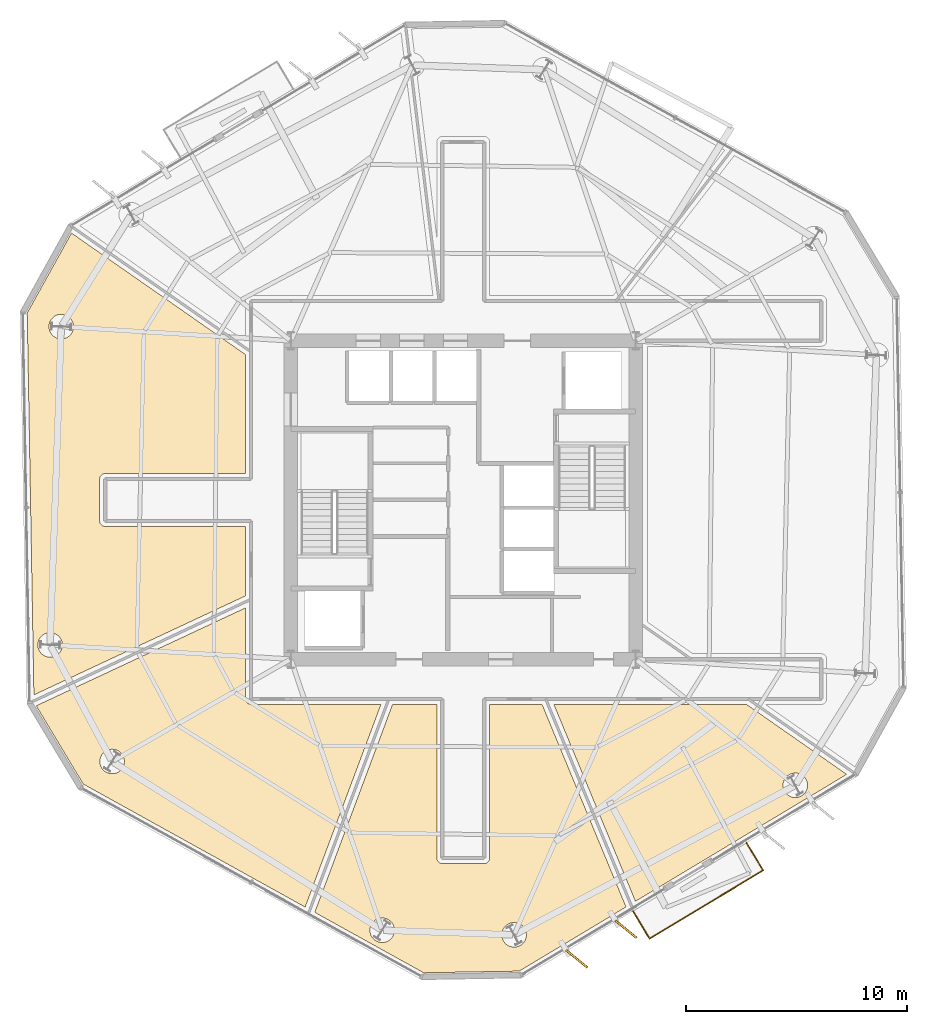
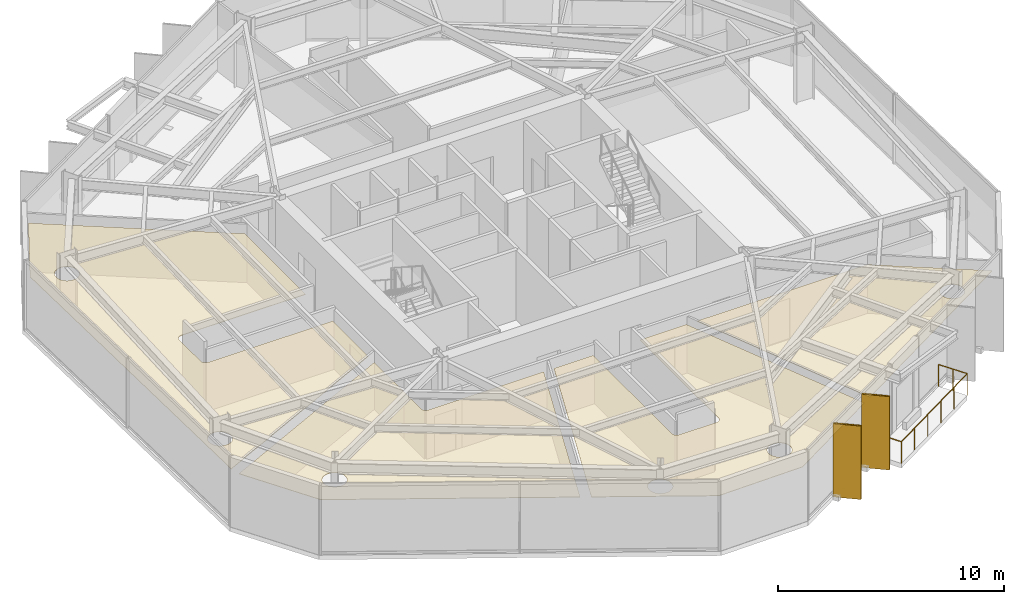
# One storey, part 9 of 11: 6 coverings, 2 shading devices, 1 railing.
"""IFC4 building model written with IfcOpenShell, lengths in metres."""

from ifc_helpers import new_model, si_unit, direction, frame, origin, origin_2d, place, context, subcontext, project, spatial, polyline, rectangle, circle, outline, extrude, material, layer, layer_set, type_object, element, save


model = new_model("IFC4")

# Units and contexts
model_context = context("Model", 3, precision=1e-05, world=origin(), true_north=direction((0.0, 1.0)))
body_context = subcontext(model_context, "Body", "Model", "MODEL_VIEW")
ifc_project = project(units=[si_unit("LENGTHUNIT", "METRE"), si_unit("AREAUNIT", "SQUARE_METRE"), si_unit("VOLUMEUNIT", "CUBIC_METRE"), si_unit("PLANEANGLEUNIT", "RADIAN"), si_unit("MASSUNIT", "GRAM", prefix="KILO")], contexts=[model_context])

# Site, building, storey
site_placement = place(None, origin())
site = spatial("IfcSite", under=ifc_project, at=site_placement, CompositionType="ELEMENT")
building_placement = place(site_placement, origin())
building = spatial("IfcBuilding", under=site, at=building_placement, Name="Kranzbogen Civic Tower", CompositionType="ELEMENT")
storey_placement = place(building_placement, frame((0.0, 0.0, 146.39990234375)))
storey = spatial("IfcBuildingStorey", under=building, at=storey_placement, Name="L35", CompositionType="ELEMENT", Elevation=146.39990234375)

# Coverings
ifc_material_1 = material(Name="Pale Anodised Aluminium", Category="aluminium")
ifc_layer_1 = layer(ifc_material_1, 0.02490234375, Name="Pale Anodised Aluminium")
ifc_layer_set_1 = layer_set([ifc_layer_1], Name="Pale Anodised Aluminium")
covering_type_1 = type_object("IfcCoveringType", Name="Anodised Aluminium Vertical Fin Cladding 25 mm", PredefinedType="CLADDING", material=ifc_layer_set_1)
for number, where, z_axis, x_axis, name in (
    (1, (30.135986328125, 4.241943359375, -0.139892578125), (0.0, 0.0, 1.0), (0.774127549164, -0.633029649878, 0.0), "L35 vertical fin pale-metal cladding F5-1"),
    (2, (32.364013671875, 5.5810546875, -0.139892578125), (0.0, 0.0, 1.0), (0.774127549164, -0.633029649878, 0.0), "L35 vertical fin pale-metal cladding F5-2"),
):
    element("IfcCovering", number, at=place(storey_placement, frame(where, z_axis=z_axis, x_axis=x_axis)), inside=storey, type_object=covering_type_1, Name=name, PredefinedType="CLADDING", context=body_context, shape_type="SweptSolid", body=[
        extrude(rectangle(XDim=1.25, YDim=0.10009765625, at=origin_2d()), origin(), (0.0, 0.0, 1.0), 3.9599609375),
    ])

# Shading devices
ifc_material_2 = material(Name="Anodised Bronze Aluminium", Category="aluminium")
shading_device_type = type_object("IfcShadingDeviceType", Name="Anodised Bronze Vertical Facade Fin 1250x80", PredefinedType="USERDEFINED", material=ifc_material_2)
for number, where, z_axis, x_axis, name in (
    (3, (30.135986328125, 4.241943359375, -0.139892578125), (0.0, 0.0, 1.0), (0.774127549164, -0.633029649878, 0.0), "L35 vertical exterior shading fin F5-1"),
    (4, (32.364013671875, 5.5810546875, -0.139892578125), (0.0, 0.0, 1.0), (0.774127549164, -0.633029649878, 0.0), "L35 vertical exterior shading fin F5-2"),
):
    element("IfcShadingDevice", number, at=place(storey_placement, frame(where, z_axis=z_axis, x_axis=x_axis)), inside=storey, type_object=shading_device_type, Name=name, ObjectType="FIN", PredefinedType="USERDEFINED", context=body_context, shape_type="SweptSolid", body=[
        extrude(rectangle(XDim=1.25, YDim=0.080078125, at=origin_2d()), origin(), (0.0, 0.0, 1.0), 3.9599609375),
    ])

# Railing
railing_type = type_object("IfcRailingType", Name="Cantilevered Balcony Glass and Bronze Balustrade 1200", PredefinedType="BALUSTRADE", material=ifc_material_2)
railing_placement = place(storey_placement, frame((32.677978515625, 6.39697265625, 0.0)))
element("IfcRailing", 5, at=railing_placement, inside=storey, type_object=railing_type, Name="L35 exterior terrace balustrade L35-TB1", PredefinedType="BALUSTRADE", context=body_context, shape_type="SweptSolid", body=[
    extrude(circle(Radius=0.02392578125, at=origin_2d()), frame((0.0, 0.0, 1.17578125), z_axis=(0.515164064577, -0.85709158587, 0.0), x_axis=(0.85709158587, 0.515164064577, 0.0)), (0.0, 0.0, 1.0), 1.4501953125),
    extrude(circle(Radius=0.02392578125, at=origin_2d()), frame((0.7470703125, -1.242919921875, 1.17578125), z_axis=(0.857198373359, 0.514986357791, 0.0), x_axis=(-0.514986357791, 0.857198373359, 0.0)), (0.0, 0.0, 1.0), 5.999755859375),
    extrude(circle(Radius=0.02392578125, at=origin_2d()), frame((5.89013671875, 1.846923828125, 1.17578125), z_axis=(-0.515089737752, 0.857136256416, 0.0), x_axis=(-0.857136256416, -0.515089737752, 0.0)), (0.0, 0.0, 1.0), 1.450439453125),
    extrude(circle(Radius=0.02099609375, at=origin_2d()), origin(), (0.0, 0.0, 1.0), 1.15185546875),
    extrude(circle(Radius=0.02099609375, at=origin_2d()), frame((0.37353515625, -0.62158203125, 0.0)), (0.0, 0.0, 1.0), 1.15185546875),
    extrude(circle(Radius=0.02099609375, at=origin_2d()), frame((0.7470703125, -1.242919921875, 0.0)), (0.0, 0.0, 1.0), 1.15185546875),
    extrude(circle(Radius=0.02099609375, at=origin_2d()), frame((1.775634765625, -0.625, 0.0)), (0.0, 0.0, 1.0), 1.15185546875),
    extrude(circle(Radius=0.02099609375, at=origin_2d()), frame((2.80419921875, -0.007080078125, 0.0)), (0.0, 0.0, 1.0), 1.15185546875),
    extrude(circle(Radius=0.02099609375, at=origin_2d()), frame((3.8330078125, 0.611083984375, 0.0)), (0.0, 0.0, 1.0), 1.15185546875),
    extrude(circle(Radius=0.02099609375, at=origin_2d()), frame((4.861572265625, 1.22900390625, 0.0)), (0.0, 0.0, 1.0), 1.15185546875),
    extrude(circle(Radius=0.02099609375, at=origin_2d()), frame((5.89013671875, 1.846923828125, 0.0)), (0.0, 0.0, 1.0), 1.15185546875),
    extrude(circle(Radius=0.02099609375, at=origin_2d()), frame((5.5166015625, 2.468505859375, 0.0)), (0.0, 0.0, 1.0), 1.15185546875),
    extrude(circle(Radius=0.02099609375, at=origin_2d()), frame((5.14306640625, 3.090087890625, 0.0)), (0.0, 0.0, 1.0), 1.15185546875),
])

# Coverings
ifc_material_3 = material(Name="Perforated Acoustic Gypsum Ceiling")
ifc_layer_2 = layer(ifc_material_3, 0.02490234375, Name="Perforated Acoustic Gypsum Ceiling")
ifc_layer_set_2 = layer_set([ifc_layer_2], Name="Perforated Acoustic Gypsum Ceiling")
covering_type_2 = type_object("IfcCoveringType", Name="Perforated Acoustic Mineral Ceiling Tile 25 mm", PredefinedType="CEILING", material=ifc_layer_set_2)
covering_1_placement = place(storey_placement, frame((0.0, 0.0, 2.75)))
element("IfcCovering", 6, at=covering_1_placement, inside=storey, type_object=covering_type_2, Name="L35 Executive Briefing Conference Room acoustic ceiling", PredefinedType="CEILING", context=body_context, shape_type="SweptSolid", body=[
    extrude(outline(polyline([(5.680908203125, 15.68994140625), (15.155029296875, 20.123046875), (15.155029296875, 16.0), (15.155029296875, 15.990966796875), (15.156005859375, 15.985107421875), (15.156982421875, 15.967041015625), (15.157958984375, 15.9609375), (15.162109375, 15.944091796875), (15.1630859375, 15.93701171875), (15.16796875, 15.919921875), (15.169921875, 15.9140625), (15.177001953125, 15.89794921875), (15.179931640625, 15.89208984375), (15.18798828125, 15.876953125), (15.19189453125, 15.87109375), (15.200927734375, 15.85693359375), (15.205078125, 15.85205078125), (15.216064453125, 15.837890625), (15.220947265625, 15.8330078125), (15.23291015625, 15.821044921875), (15.238037109375, 15.81591796875), (15.251953125, 15.804931640625), (15.257080078125, 15.801025390625), (15.27099609375, 15.7919921875), (15.277099609375, 15.7880859375), (15.2919921875, 15.780029296875), (15.298095703125, 15.777099609375), (15.31396484375, 15.77001953125), (15.320068359375, 15.76806640625), (15.3369140625, 15.762939453125), (15.343994140625, 15.761962890625), (15.361083984375, 15.758056640625), (15.366943359375, 15.757080078125), (15.385009765625, 15.756103515625), (15.39111328125, 15.7548828125), (15.39990234375, 15.7548828125), (21.280029296875, 15.7548828125), (17.847900390625, 6.583984375), (7.81005859375, 12.14794921875), (5.680908203125, 15.68994140625)]), holes=[polyline([(9.6259765625, 12.958984375), (9.60302734375, 12.909912109375), (9.574951171875, 12.863037109375), (9.54296875, 12.819091796875), (9.506103515625, 12.779052734375), (9.466064453125, 12.741943359375), (9.422119140625, 12.7099609375), (9.375, 12.681884765625), (9.325927734375, 12.658935546875), (9.27490234375, 12.64111328125), (9.221923828125, 12.626953125), (9.16796875, 12.618896484375), (9.114013671875, 12.616943359375), (9.06005859375, 12.618896484375), (9.006103515625, 12.626953125), (8.952880859375, 12.64111328125), (8.902099609375, 12.658935546875), (8.85302734375, 12.681884765625), (8.805908203125, 12.7099609375), (8.761962890625, 12.741943359375), (8.721923828125, 12.779052734375), (8.68505859375, 12.819091796875), (8.653076171875, 12.863037109375), (8.625, 12.909912109375), (8.60205078125, 12.958984375), (8.583984375, 13.010009765625), (8.570068359375, 13.06298828125), (8.56201171875, 13.116943359375), (8.56005859375, 13.1708984375), (8.56201171875, 13.22509765625), (8.570068359375, 13.279052734375), (8.583984375, 13.33203125), (8.60205078125, 13.383056640625), (8.625, 13.431884765625), (8.653076171875, 13.47900390625), (8.68505859375, 13.52294921875), (8.721923828125, 13.56298828125), (8.761962890625, 13.60009765625), (8.805908203125, 13.632080078125), (8.85302734375, 13.659912109375), (8.902099609375, 13.68310546875), (8.952880859375, 13.700927734375), (9.006103515625, 13.715087890625), (9.06005859375, 13.722900390625), (9.114013671875, 13.72509765625), (9.16796875, 13.722900390625), (9.221923828125, 13.715087890625), (9.27490234375, 13.700927734375), (9.325927734375, 13.68310546875), (9.375, 13.659912109375), (9.422119140625, 13.632080078125), (9.466064453125, 13.60009765625), (9.506103515625, 13.56298828125), (9.54296875, 13.52294921875), (9.574951171875, 13.47900390625), (9.60302734375, 13.431884765625), (9.6259765625, 13.383056640625), (9.64404296875, 13.33203125), (9.657958984375, 13.279052734375), (9.666015625, 13.22509765625), (9.66796875, 13.1708984375), (9.666015625, 13.116943359375), (9.657958984375, 13.06298828125), (9.64404296875, 13.010009765625), (9.6259765625, 12.958984375)])]), origin(), (0.0, 0.0, 1.0), 0.025146484375),
])
covering_2_placement = place(storey_placement, frame((0.0, 0.0, 2.75)))
element("IfcCovering", 7, at=covering_2_placement, inside=storey, type_object=covering_type_2, Name="L35 Parliamentary Review Boardroom acoustic ceiling", PredefinedType="CEILING", context=body_context, shape_type="SweptSolid", body=[
    extrude(outline(polyline([(23.2099609375, 3.611083984375), (18.281982421875, 6.343017578125), (21.802978515625, 15.7548828125), (23.804931640625, 15.7548828125), (23.804931640625, 8.800048828125), (23.804931640625, 8.791015625), (23.805908203125, 8.784912109375), (23.806884765625, 8.76708984375), (23.80810546875, 8.760986328125), (23.81201171875, 8.743896484375), (23.81298828125, 8.737060546875), (23.818115234375, 8.719970703125), (23.820068359375, 8.714111328125), (23.826904296875, 8.697998046875), (23.830078125, 8.69189453125), (23.837890625, 8.677001953125), (23.842041015625, 8.6708984375), (23.85107421875, 8.656982421875), (23.85498046875, 8.652099609375), (23.865966796875, 8.637939453125), (23.87109375, 8.633056640625), (23.883056640625, 8.62109375), (23.887939453125, 8.615966796875), (23.902099609375, 8.60498046875), (23.906982421875, 8.60107421875), (23.9208984375, 8.592041015625), (23.927001953125, 8.587890625), (23.94189453125, 8.580078125), (23.947998046875, 8.576904296875), (23.964111328125, 8.570068359375), (23.969970703125, 8.568115234375), (23.987060546875, 8.56298828125), (23.993896484375, 8.56201171875), (24.010986328125, 8.55810546875), (24.01708984375, 8.556884765625), (24.034912109375, 8.555908203125), (24.041015625, 8.554931640625), (24.050048828125, 8.554931640625), (25.949951171875, 8.554931640625), (25.958984375, 8.554931640625), (25.965087890625, 8.555908203125), (25.98291015625, 8.556884765625), (25.989013671875, 8.55810546875), (26.006103515625, 8.56201171875), (26.012939453125, 8.56298828125), (26.030029296875, 8.568115234375), (26.035888671875, 8.570068359375), (26.052001953125, 8.576904296875), (26.05810546875, 8.580078125), (26.072998046875, 8.587890625), (26.0791015625, 8.592041015625), (26.093017578125, 8.60107421875), (26.097900390625, 8.60498046875), (26.112060546875, 8.615966796875), (26.116943359375, 8.62109375), (26.12890625, 8.633056640625), (26.134033203125, 8.637939453125), (26.14501953125, 8.652099609375), (26.14892578125, 8.656982421875), (26.157958984375, 8.6708984375), (26.162109375, 8.677001953125), (26.169921875, 8.69189453125), (26.173095703125, 8.697998046875), (26.179931640625, 8.714111328125), (26.181884765625, 8.719970703125), (26.18701171875, 8.737060546875), (26.18798828125, 8.743896484375), (26.19189453125, 8.760986328125), (26.193115234375, 8.76708984375), (26.194091796875, 8.784912109375), (26.195068359375, 8.791015625), (26.195068359375, 8.800048828125), (26.195068359375, 15.7548828125), (28.56591796875, 15.7548828125), (32.364990234375, 6.589111328125), (27.534912109375, 3.68603515625), (23.2099609375, 3.611083984375)]), holes=[polyline([(21.843994140625, 5.323974609375), (21.821044921875, 5.27490234375), (21.79296875, 5.22802734375), (21.760986328125, 5.18408203125), (21.72412109375, 5.14404296875), (21.68408203125, 5.10693359375), (21.639892578125, 5.074951171875), (21.593017578125, 5.047119140625), (21.5439453125, 5.02392578125), (21.492919921875, 5.006103515625), (21.43994140625, 4.991943359375), (21.385986328125, 4.98388671875), (21.33203125, 4.98193359375), (21.278076171875, 4.98388671875), (21.22412109375, 4.991943359375), (21.1708984375, 5.006103515625), (21.1201171875, 5.02392578125), (21.071044921875, 5.047119140625), (21.02392578125, 5.074951171875), (20.97998046875, 5.10693359375), (20.93994140625, 5.14404296875), (20.903076171875, 5.18408203125), (20.87109375, 5.22802734375), (20.843017578125, 5.27490234375), (20.820068359375, 5.323974609375), (20.802001953125, 5.375), (20.7880859375, 5.427978515625), (20.780029296875, 5.48193359375), (20.778076171875, 5.535888671875), (20.780029296875, 5.590087890625), (20.7880859375, 5.64404296875), (20.802001953125, 5.697021484375), (20.820068359375, 5.748046875), (20.843017578125, 5.797119140625), (20.87109375, 5.843994140625), (20.903076171875, 5.887939453125), (20.93994140625, 5.927978515625), (20.97998046875, 5.965087890625), (21.02392578125, 5.9970703125), (21.071044921875, 6.02490234375), (21.1201171875, 6.048095703125), (21.1708984375, 6.06591796875), (21.22412109375, 6.080078125), (21.278076171875, 6.087890625), (21.33203125, 6.090087890625), (21.385986328125, 6.087890625), (21.43994140625, 6.080078125), (21.492919921875, 6.06591796875), (21.5439453125, 6.048095703125), (21.593017578125, 6.02490234375), (21.639892578125, 5.9970703125), (21.68408203125, 5.965087890625), (21.72412109375, 5.927978515625), (21.760986328125, 5.887939453125), (21.79296875, 5.843994140625), (21.821044921875, 5.797119140625), (21.843994140625, 5.748046875), (21.862060546875, 5.697021484375), (21.8759765625, 5.64404296875), (21.884033203125, 5.590087890625), (21.885986328125, 5.535888671875), (21.884033203125, 5.48193359375), (21.8759765625, 5.427978515625), (21.862060546875, 5.375), (21.843994140625, 5.323974609375)]), polyline([(27.81298828125, 5.115966796875), (27.7900390625, 5.06689453125), (27.761962890625, 5.02001953125), (27.72998046875, 4.97607421875), (27.693115234375, 4.93603515625), (27.653076171875, 4.89892578125), (27.60888671875, 4.866943359375), (27.56201171875, 4.839111328125), (27.512939453125, 4.81591796875), (27.4619140625, 4.798095703125), (27.408935546875, 4.783935546875), (27.35498046875, 4.77587890625), (27.301025390625, 4.77392578125), (27.2470703125, 4.77587890625), (27.193115234375, 4.783935546875), (27.139892578125, 4.798095703125), (27.089111328125, 4.81591796875), (27.0400390625, 4.839111328125), (26.992919921875, 4.866943359375), (26.948974609375, 4.89892578125), (26.908935546875, 4.93603515625), (26.8720703125, 4.97607421875), (26.840087890625, 5.02001953125), (26.81201171875, 5.06689453125), (26.7890625, 5.115966796875), (26.77099609375, 5.1669921875), (26.757080078125, 5.219970703125), (26.7490234375, 5.27392578125), (26.7470703125, 5.327880859375), (26.7490234375, 5.382080078125), (26.757080078125, 5.43603515625), (26.77099609375, 5.489013671875), (26.7890625, 5.5400390625), (26.81201171875, 5.589111328125), (26.840087890625, 5.635986328125), (26.8720703125, 5.679931640625), (26.908935546875, 5.719970703125), (26.948974609375, 5.757080078125), (26.992919921875, 5.7890625), (27.0400390625, 5.81689453125), (27.089111328125, 5.840087890625), (27.139892578125, 5.85791015625), (27.193115234375, 5.8720703125), (27.2470703125, 5.8798828125), (27.301025390625, 5.882080078125), (27.35498046875, 5.8798828125), (27.408935546875, 5.8720703125), (27.4619140625, 5.85791015625), (27.512939453125, 5.840087890625), (27.56201171875, 5.81689453125), (27.60888671875, 5.7890625), (27.653076171875, 5.757080078125), (27.693115234375, 5.719970703125), (27.72998046875, 5.679931640625), (27.761962890625, 5.635986328125), (27.7900390625, 5.589111328125), (27.81298828125, 5.5400390625), (27.8310546875, 5.489013671875), (27.844970703125, 5.43603515625), (27.85302734375, 5.382080078125), (27.85498046875, 5.327880859375), (27.85302734375, 5.27392578125), (27.844970703125, 5.219970703125), (27.8310546875, 5.1669921875), (27.81298828125, 5.115966796875)])]), origin(), (0.0, 0.0, 1.0), 0.025146484375),
])
covering_3_placement = place(storey_placement, frame((0.0, 0.0, 2.75)))
element("IfcCovering", 8, at=covering_3_placement, inside=storey, type_object=covering_type_2, Name="L35 Policy Seminar Room acoustic ceiling", PredefinedType="CEILING", context=body_context, shape_type="SweptSolid", body=[
    extrude(outline(polyline([(29.096923828125, 15.7548828125), (37.81201171875, 15.7548828125), (42.347900390625, 12.587890625), (32.7900390625, 6.843994140625), (29.096923828125, 15.7548828125)]), holes=[polyline([(40.534912109375, 11.8798828125), (40.511962890625, 11.8310546875), (40.48388671875, 11.783935546875), (40.451904296875, 11.739990234375), (40.4150390625, 11.699951171875), (40.375, 11.6630859375), (40.3310546875, 11.631103515625), (40.283935546875, 11.60302734375), (40.235107421875, 11.580078125), (40.18408203125, 11.56201171875), (40.131103515625, 11.548095703125), (40.076904296875, 11.5400390625), (40.02294921875, 11.5380859375), (39.968994140625, 11.5400390625), (39.9150390625, 11.548095703125), (39.862060546875, 11.56201171875), (39.81103515625, 11.580078125), (39.761962890625, 11.60302734375), (39.715087890625, 11.631103515625), (39.6708984375, 11.6630859375), (39.631103515625, 11.699951171875), (39.593994140625, 11.739990234375), (39.56201171875, 11.783935546875), (39.533935546875, 11.8310546875), (39.510986328125, 11.8798828125), (39.492919921875, 11.930908203125), (39.47900390625, 11.98388671875), (39.470947265625, 12.0380859375), (39.468994140625, 12.092041015625), (39.470947265625, 12.14599609375), (39.47900390625, 12.199951171875), (39.492919921875, 12.2529296875), (39.510986328125, 12.303955078125), (39.533935546875, 12.35302734375), (39.56201171875, 12.39990234375), (39.593994140625, 12.444091796875), (39.631103515625, 12.48388671875), (39.6708984375, 12.52099609375), (39.715087890625, 12.552978515625), (39.761962890625, 12.5810546875), (39.81103515625, 12.60400390625), (39.862060546875, 12.6220703125), (39.9150390625, 12.635986328125), (39.968994140625, 12.64404296875), (40.02294921875, 12.64599609375), (40.076904296875, 12.64404296875), (40.131103515625, 12.635986328125), (40.18408203125, 12.6220703125), (40.235107421875, 12.60400390625), (40.283935546875, 12.5810546875), (40.3310546875, 12.552978515625), (40.375, 12.52099609375), (40.4150390625, 12.48388671875), (40.451904296875, 12.444091796875), (40.48388671875, 12.39990234375), (40.511962890625, 12.35302734375), (40.534912109375, 12.303955078125), (40.552978515625, 12.2529296875), (40.56689453125, 12.199951171875), (40.574951171875, 12.14599609375), (40.576904296875, 12.092041015625), (40.574951171875, 12.0380859375), (40.56689453125, 11.98388671875), (40.552978515625, 11.930908203125), (40.534912109375, 11.8798828125)])]), origin(), (0.0, 0.0, 1.0), 0.025146484375),
])
covering_4_placement = place(storey_placement, frame((0.0, 0.0, 2.75)))
element("IfcCovering", 9, at=covering_4_placement, inside=storey, type_object=covering_type_2, Name="L35 Ministerial Policy Office acoustic ceiling", PredefinedType="CEILING", context=body_context, shape_type="SweptSolid", body=[
    extrude(outline(polyline([(7.278076171875, 37.075927734375), (15.155029296875, 31.575927734375), (15.155029296875, 26.195068359375), (8.800048828125, 26.195068359375), (8.791015625, 26.195068359375), (8.784912109375, 26.194091796875), (8.76708984375, 26.193115234375), (8.760986328125, 26.19189453125), (8.743896484375, 26.18798828125), (8.737060546875, 26.18701171875), (8.719970703125, 26.181884765625), (8.714111328125, 26.179931640625), (8.697998046875, 26.173095703125), (8.69189453125, 26.169921875), (8.677001953125, 26.162109375), (8.6708984375, 26.157958984375), (8.656982421875, 26.14892578125), (8.652099609375, 26.14501953125), (8.637939453125, 26.134033203125), (8.633056640625, 26.12890625), (8.62109375, 26.116943359375), (8.615966796875, 26.112060546875), (8.60498046875, 26.097900390625), (8.60107421875, 26.093017578125), (8.592041015625, 26.0791015625), (8.587890625, 26.072998046875), (8.580078125, 26.05810546875), (8.576904296875, 26.052001953125), (8.570068359375, 26.035888671875), (8.568115234375, 26.030029296875), (8.56298828125, 26.012939453125), (8.56201171875, 26.006103515625), (8.55810546875, 25.989013671875), (8.556884765625, 25.98291015625), (8.555908203125, 25.965087890625), (8.554931640625, 25.958984375), (8.554931640625, 25.949951171875), (8.554931640625, 24.050048828125), (8.554931640625, 24.041015625), (8.555908203125, 24.034912109375), (8.556884765625, 24.01708984375), (8.55810546875, 24.010986328125), (8.56201171875, 23.993896484375), (8.56298828125, 23.987060546875), (8.568115234375, 23.969970703125), (8.570068359375, 23.964111328125), (8.576904296875, 23.947998046875), (8.580078125, 23.94189453125), (8.587890625, 23.927001953125), (8.592041015625, 23.9208984375), (8.60107421875, 23.906982421875), (8.60498046875, 23.902099609375), (8.615966796875, 23.887939453125), (8.62109375, 23.883056640625), (8.633056640625, 23.87109375), (8.637939453125, 23.865966796875), (8.652099609375, 23.85498046875), (8.656982421875, 23.85107421875), (8.6708984375, 23.842041015625), (8.677001953125, 23.837890625), (8.69189453125, 23.830078125), (8.697998046875, 23.826904296875), (8.714111328125, 23.820068359375), (8.719970703125, 23.818115234375), (8.737060546875, 23.81298828125), (8.743896484375, 23.81201171875), (8.760986328125, 23.80810546875), (8.76708984375, 23.806884765625), (8.784912109375, 23.805908203125), (8.791015625, 23.804931640625), (8.800048828125, 23.804931640625), (15.155029296875, 23.804931640625), (15.155029296875, 20.6640625), (5.575927734375, 16.181884765625), (5.27392578125, 33.4619140625), (7.278076171875, 37.075927734375)]), holes=[polyline([(6.822021484375, 18.23193359375), (6.799072265625, 18.18310546875), (6.77099609375, 18.135986328125), (6.739013671875, 18.092041015625), (6.701904296875, 18.052001953125), (6.662109375, 18.014892578125), (6.617919921875, 17.98291015625), (6.571044921875, 17.955078125), (6.52197265625, 17.931884765625), (6.470947265625, 17.9140625), (6.41796875, 17.89990234375), (6.364013671875, 17.89208984375), (6.31005859375, 17.889892578125), (6.256103515625, 17.89208984375), (6.201904296875, 17.89990234375), (6.14892578125, 17.9140625), (6.097900390625, 17.931884765625), (6.049072265625, 17.955078125), (6.001953125, 17.98291015625), (5.9580078125, 18.014892578125), (5.91796875, 18.052001953125), (5.881103515625, 18.092041015625), (5.84912109375, 18.135986328125), (5.821044921875, 18.18310546875), (5.798095703125, 18.23193359375), (5.780029296875, 18.282958984375), (5.76611328125, 18.3359375), (5.758056640625, 18.389892578125), (5.756103515625, 18.444091796875), (5.758056640625, 18.498046875), (5.76611328125, 18.552001953125), (5.780029296875, 18.60498046875), (5.798095703125, 18.656005859375), (5.821044921875, 18.705078125), (5.84912109375, 18.751953125), (5.881103515625, 18.7958984375), (5.91796875, 18.8359375), (5.9580078125, 18.873046875), (6.001953125, 18.905029296875), (6.049072265625, 18.93310546875), (6.097900390625, 18.9560546875), (6.14892578125, 18.97412109375), (6.201904296875, 18.988037109375), (6.256103515625, 18.99609375), (6.31005859375, 18.998046875), (6.364013671875, 18.99609375), (6.41796875, 18.988037109375), (6.470947265625, 18.97412109375), (6.52197265625, 18.9560546875), (6.571044921875, 18.93310546875), (6.617919921875, 18.905029296875), (6.662109375, 18.873046875), (6.701904296875, 18.8359375), (6.739013671875, 18.7958984375), (6.77099609375, 18.751953125), (6.799072265625, 18.705078125), (6.822021484375, 18.656005859375), (6.840087890625, 18.60498046875), (6.85400390625, 18.552001953125), (6.862060546875, 18.498046875), (6.864013671875, 18.444091796875), (6.862060546875, 18.389892578125), (6.85400390625, 18.3359375), (6.840087890625, 18.282958984375), (6.822021484375, 18.23193359375)]), polyline([(7.324951171875, 32.632080078125), (7.302001953125, 32.5830078125), (7.27392578125, 32.535888671875), (7.241943359375, 32.491943359375), (7.205078125, 32.451904296875), (7.1650390625, 32.4150390625), (7.12109375, 32.383056640625), (7.073974609375, 32.35498046875), (7.02490234375, 32.33203125), (6.97412109375, 32.31396484375), (6.9208984375, 32.300048828125), (6.866943359375, 32.2919921875), (6.81298828125, 32.2900390625), (6.759033203125, 32.2919921875), (6.705078125, 32.300048828125), (6.652099609375, 32.31396484375), (6.60107421875, 32.33203125), (6.552001953125, 32.35498046875), (6.5048828125, 32.383056640625), (6.4609375, 32.4150390625), (6.4208984375, 32.451904296875), (6.384033203125, 32.491943359375), (6.35205078125, 32.535888671875), (6.323974609375, 32.5830078125), (6.301025390625, 32.632080078125), (6.282958984375, 32.68310546875), (6.26904296875, 32.736083984375), (6.260986328125, 32.7900390625), (6.259033203125, 32.843994140625), (6.260986328125, 32.89794921875), (6.26904296875, 32.951904296875), (6.282958984375, 33.0048828125), (6.301025390625, 33.055908203125), (6.323974609375, 33.10498046875), (6.35205078125, 33.152099609375), (6.384033203125, 33.196044921875), (6.4208984375, 33.236083984375), (6.4609375, 33.27294921875), (6.5048828125, 33.304931640625), (6.552001953125, 33.3330078125), (6.60107421875, 33.35595703125), (6.652099609375, 33.3740234375), (6.705078125, 33.387939453125), (6.759033203125, 33.39599609375), (6.81298828125, 33.39794921875), (6.866943359375, 33.39599609375), (6.9208984375, 33.387939453125), (6.97412109375, 33.3740234375), (7.02490234375, 33.35595703125), (7.073974609375, 33.3330078125), (7.12109375, 33.304931640625), (7.1650390625, 33.27294921875), (7.205078125, 33.236083984375), (7.241943359375, 33.196044921875), (7.27392578125, 33.152099609375), (7.302001953125, 33.10498046875), (7.324951171875, 33.055908203125), (7.343017578125, 33.0048828125), (7.35693359375, 32.951904296875), (7.364990234375, 32.89794921875), (7.366943359375, 32.843994140625), (7.364990234375, 32.7900390625), (7.35693359375, 32.736083984375), (7.343017578125, 32.68310546875), (7.324951171875, 32.632080078125)])]), origin(), (0.0, 0.0, 1.0), 0.025146484375),
])

save(model, "model.ifc")
